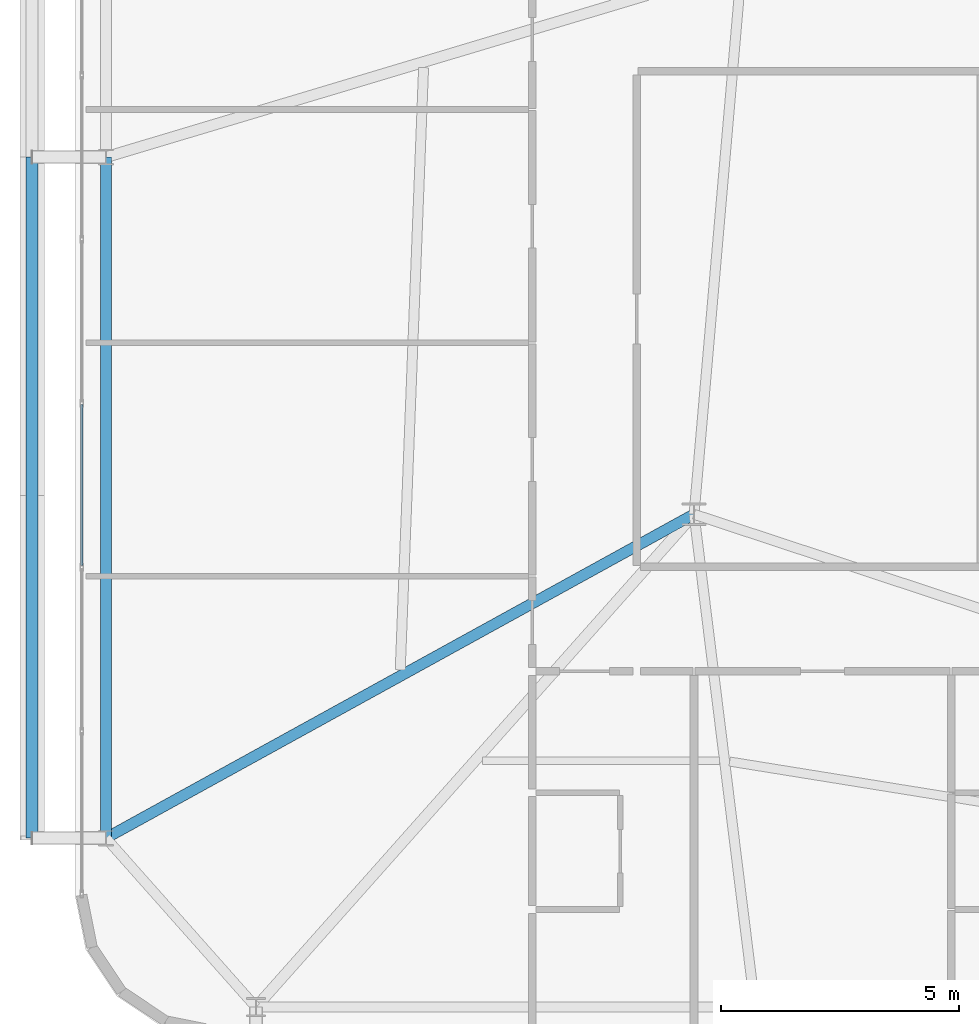
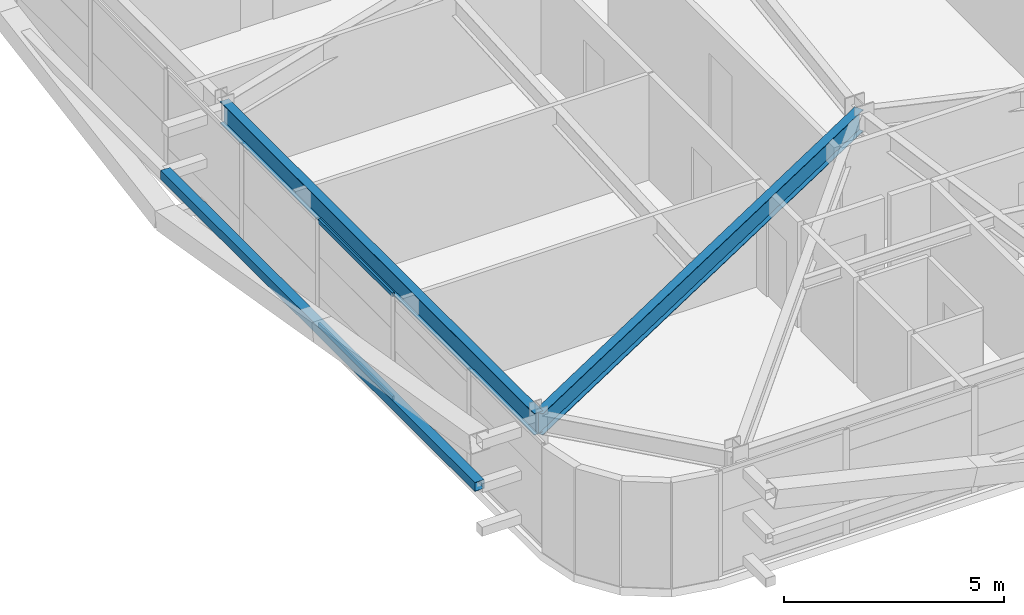
# One storey, part 9 of 58: 3 members, 2 beams, 1 element without a shape of its own.
"""IFC4 building model written with IfcOpenShell, lengths in metres."""

from ifc_helpers import new_model, si_unit, direction, frame, origin, origin_2d, place, context, subcontext, project, spatial, hollow_rectangle, i_section, extrude, source, transform, mapped, material, layer, layer_set, material_profile, profile_set, type_object, element, aggregate, save


model = new_model("IFC4")

# Units and contexts
model_context = context("Model", 3, precision=1e-05, world=origin(), true_north=direction((0.0, 1.0)))
body_context = subcontext(model_context, "Body", "Model", "MODEL_VIEW")
ifc_project = project(units=[si_unit("LENGTHUNIT", "METRE"), si_unit("AREAUNIT", "SQUARE_METRE"), si_unit("VOLUMEUNIT", "CUBIC_METRE"), si_unit("PLANEANGLEUNIT", "RADIAN"), si_unit("MASSUNIT", "GRAM", prefix="KILO")], contexts=[model_context])

# Site, building, storey
site_placement = place(None, origin())
site = spatial("IfcSite", under=ifc_project, at=site_placement, CompositionType="ELEMENT")
building_placement = place(site_placement, origin())
building = spatial("IfcBuilding", under=site, at=building_placement, Name="Taldren Reach Tower", CompositionType="ELEMENT")
storey_placement = place(building_placement, frame((0.0, 0.0, 32.550048828125)))
storey = spatial("IfcBuildingStorey", under=building, at=storey_placement, Name="L09", CompositionType="ELEMENT", Elevation=32.550048828125)

# Beams
ifc_material_1 = material(Name="Steel Gr 350 (350PLUS)", Category="steel")
ifc_material_profile_1 = material_profile(ifc_material_1, i_section(OverallWidth=0.22802734375, OverallDepth=0.60205078125, WebThickness=0.010498046875, FlangeThickness=0.014892578125, at=origin_2d()), Name="610UB101")
ifc_profile_set_1 = profile_set([ifc_material_profile_1], Name="Steel Gr 350 (350PLUS)")
beam_type = type_object("IfcBeamType", Name="BM-UB610B", PredefinedType="BEAM", material=ifc_profile_set_1)
shared_shape_1 = source(origin(), body_context, "Body", "SweptSolid", [
    extrude(i_section(OverallWidth=0.22802734375, OverallDepth=0.60205078125, WebThickness=0.010498046875, FlangeThickness=0.014892578125, at=origin_2d()), origin(), (0.0, 0.0, 1.0), 14.300048828125),
])
beam_1_placement = place(storey_placement, frame((5.64990234375, 20.0, 2.62890625), z_axis=(0.0, -1.0, 0.0), x_axis=(1.0, 0.0, 0.0)))
element("IfcBeam", 1, at=beam_1_placement, inside=storey, type_object=beam_type, Name="Perimeter gable girder B1 W2-W1 L09", PredefinedType="BEAM", context=body_context, shape_type="MappedRepresentation", body=[
    mapped(shared_shape_1, transform((0.0, 0.0, 0.0), scale=1.0)),
])
shared_shape_2 = source(origin(), body_context, "Body", "SweptSolid", [
    extrude(i_section(OverallWidth=0.22802734375, OverallDepth=0.60205078125, WebThickness=0.010498046875, FlangeThickness=0.014892578125, at=origin_2d()), origin(), (0.0, 0.0, 1.0), 14.098388671875),
])
beam_2_placement = place(storey_placement, frame((18.0, 12.5, 2.62890625), z_axis=(-0.875991325783, -0.482326857175, 0.0), x_axis=(0.482326857175, -0.875991325783, 0.0)))
element("IfcBeam", 2, at=beam_2_placement, inside=storey, type_object=beam_type, Name="Primary floor girder B1-W1 L09", PredefinedType="BEAM", context=body_context, shape_type="MappedRepresentation", body=[
    mapped(shared_shape_2, transform((0.0, 0.0, 0.0), scale=1.0)),
])

# Member
ifc_material_2 = material(Name="Steel Gr 350 (C350L0)", Category="steel")
ifc_material_profile_2 = material_profile(ifc_material_2, hollow_rectangle(XDim=0.25, YDim=0.25, WallThickness=0.010009765625, at=origin_2d()), Name="250x250x10.0SHS")
ifc_profile_set_2 = profile_set([ifc_material_profile_2], Name="Steel Gr 350 (C350L0)")
member_type_1 = type_object("IfcMemberType", Name="MB-POST250", PredefinedType="POST", material=ifc_profile_set_2)
shared_shape_3 = source(origin(), body_context, "Body", "SweptSolid", [
    extrude(hollow_rectangle(XDim=0.25, YDim=0.25, WallThickness=0.010009765625, at=origin_2d()), origin(), (0.0, 0.0, 1.0), 14.300048828125),
])
member_1_placement = place(storey_placement, frame((4.10009765625, 5.699951171875, 1.43505859375), z_axis=(0.0, 1.0, 0.0), x_axis=(-1.0, 0.0, 0.0)))
element("IfcMember", 3, at=member_1_placement, inside=storey, type_object=member_type_1, Name="Exoskeleton mid-height ring chord B1-W1 L09", PredefinedType="POST", context=body_context, shape_type="MappedRepresentation", body=[
    mapped(shared_shape_3, transform((0.0, 0.0, 0.0), scale=1.0)),
])

# Curtain wall, members
ifc_material_3 = material(Name="Aluminium and Low-E Glass Unitised System", Category="aluminium")
ifc_layer = layer(ifc_material_3, 0.159912109375)
ifc_layer_set = layer_set([ifc_layer], Name="Aluminium and Low-E Glass Unitised System")
curtain_wall_type = type_object("IfcCurtainWallType", Name="CW-SYS-2", PredefinedType="NOTDEFINED", material=ifc_layer_set)
curtain_wall_placement = place(storey_placement, origin())
curtain_wall = element("IfcCurtainWall", 4, at=curtain_wall_placement, inside=storey, type_object=curtain_wall_type, Name="Unitised curtain wall CW-L09-W", PredefinedType="NOTDEFINED")
ifc_material_4 = material(Name="Anodised Aluminium 6063-T6", Category="aluminium")
ifc_material_profile_3 = material_profile(ifc_material_4, hollow_rectangle(XDim=0.054931640625, YDim=0.1201171875, WallThickness=0.0029296875, at=origin_2d()), Name="ALU-120x55x3RHS")
ifc_profile_set_3 = profile_set([ifc_material_profile_3], Name="Anodised Aluminium 6063-T6")
member_type_2 = type_object("IfcMemberType", Name="CW-TRN-135", PredefinedType="USERDEFINED", material=ifc_profile_set_3)
shared_shape_4 = source(origin(), body_context, "Body", "SweptSolid", [
    extrude(hollow_rectangle(XDim=0.054931640625, YDim=0.1201171875, WallThickness=0.0029296875, at=origin_2d()), origin(), (0.0, 0.0, 1.0), 3.37939453125),
])
member_2_placement = place(storey_placement, frame((5.139892578125, 14.80078125, 0.02734375), z_axis=(0.0, -1.0, 0.0), x_axis=(1.0, 0.0, 0.0)))
member_2 = element("IfcMember", 5, at=member_2_placement, type_object=member_type_2, Name="CW-2 transom 7.1", ObjectType="TRANSOM", PredefinedType="USERDEFINED", context=body_context, shape_type="MappedRepresentation", body=[
    mapped(shared_shape_4, transform((0.0, 0.0, 0.0), scale=1.0)),
])
member_3_placement = place(storey_placement, frame((5.139892578125, 14.80078125, 2.90234375), z_axis=(0.0, -1.0, 0.0), x_axis=(1.0, 0.0, 0.0)))
member_3 = element("IfcMember", 6, at=member_3_placement, type_object=member_type_2, Name="CW-2 transom 7.2", ObjectType="TRANSOM", PredefinedType="USERDEFINED", context=body_context, shape_type="MappedRepresentation", body=[
    mapped(shared_shape_4, transform((0.0, 0.0, 0.0), scale=1.0)),
])
aggregate(curtain_wall, [member_2, member_3])

save(model, "model.ifc")
